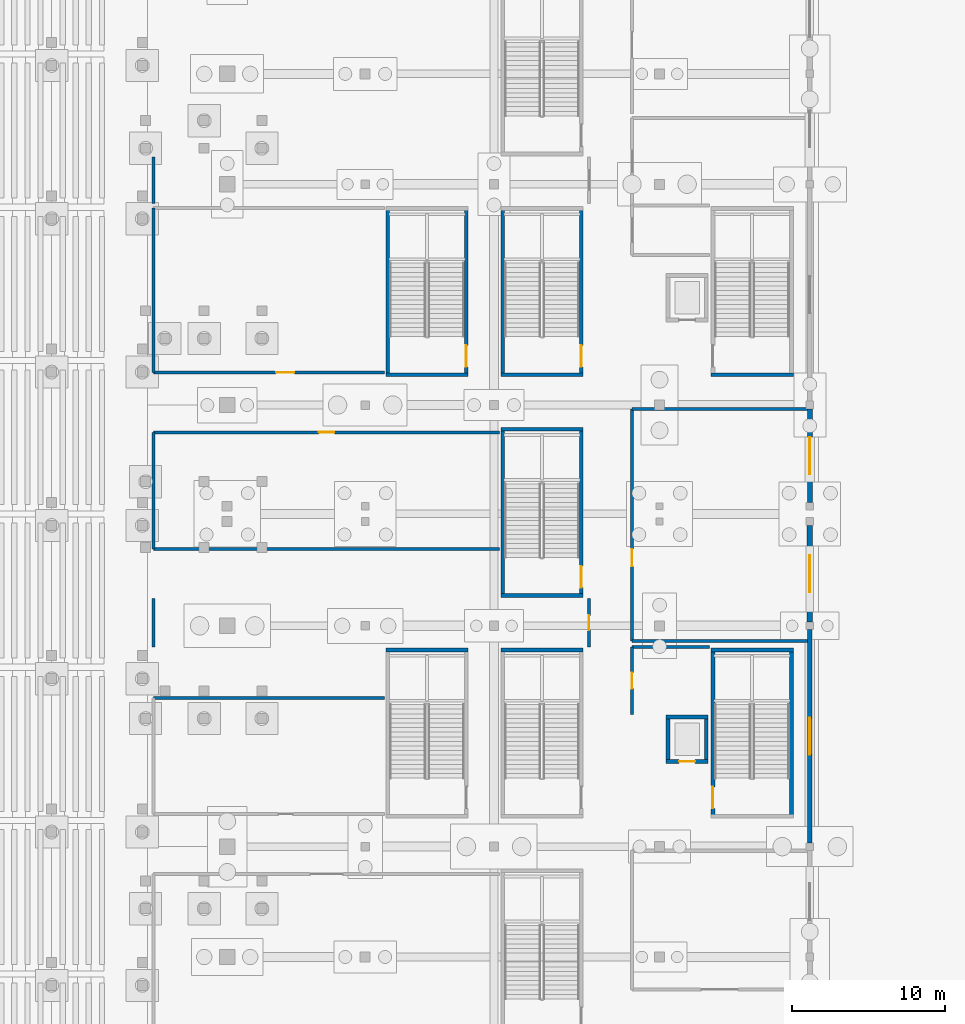
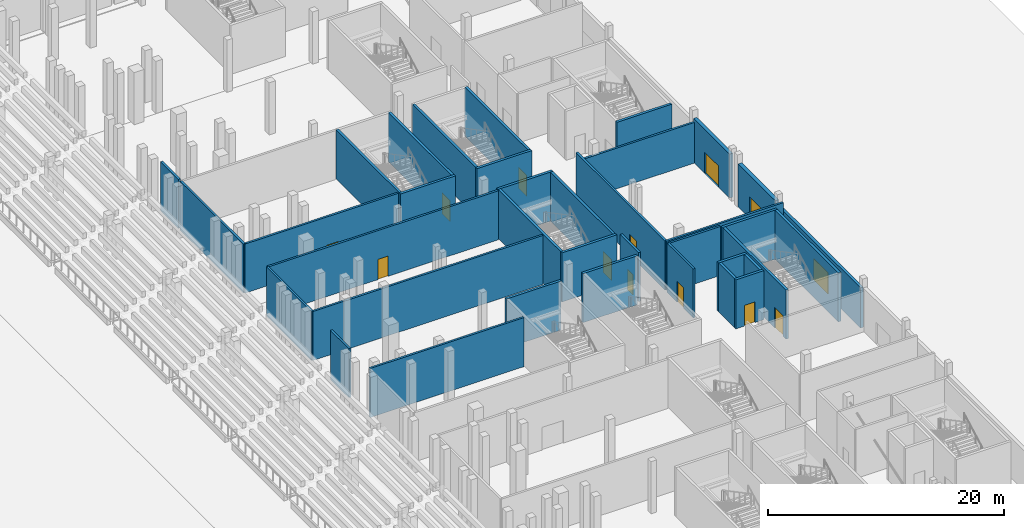
# One storey, part 43 of 89: 37 walls, 13 doors, 13 openings.
"""IFC4 building model written with IfcOpenShell, lengths in metres."""

import ifcopenshell
import ifcopenshell.guid

model = None  # the IFC model being written
_history = None  # IfcOwnerHistory: only IFC2X3 demands one
_inside = {}  # id of a spatial element -> (the spatial element, [elements in it])
_under = {}  # id of a project, library or spatial element -> (it, [spatial elements below it])
_declared = {}  # id of a project -> (the project, [libraries it declares])
_typed = {}  # id of a type object -> (the type object, [elements of that type])
_made_of = {}  # id of a material, layer set ... -> (it, [elements and type objects made of it])


def new_model(schema):
    """Start an empty IFC model of exactly this schema.

    Asked for "IFC4X3", IfcOpenShell would pick the latest addendum, in which some entities
    have other attributes; the version numbers below select the first issue.
    IFC2X3 requires an IfcOwnerHistory on every rooted entity: one is made here for all.
    """
    global model, _history
    if schema == "IFC4X3":
        model = ifcopenshell.file(schema_version=(4, 3, 0, 0))
    else:
        model = ifcopenshell.file(schema=schema)
    _inside.clear()
    _under.clear()
    _declared.clear()
    _typed.clear()
    _made_of.clear()
    _history = None
    if model.schema == "IFC2X3":
        org = make("IfcOrganization", Name="unknown")
        user = make(
            "IfcPersonAndOrganization",
            ThePerson=make("IfcPerson", FamilyName="unknown"),
            TheOrganization=org,
        )
        app = make(
            "IfcApplication",
            ApplicationDeveloper=org,
            Version="unknown",
            ApplicationFullName="unknown",
            ApplicationIdentifier="unknown",
        )
        _history = make(
            "IfcOwnerHistory",
            OwningUser=user,
            OwningApplication=app,
            ChangeAction="ADDED",
            CreationDate=0,
        )
    return model


def make(cls, **values):
    """One entity of the class cls with the attributes given. An attribute that is None is left unset."""
    return model.create_entity(
        cls, **{name: value for name, value in values.items() if value is not None}
    )


def rooted(cls, **values):
    """An entity with a GlobalId (a new one), such as an element, a storey or a relation."""
    return make(cls, GlobalId=ifcopenshell.guid.new(), OwnerHistory=_history, **values)


def si_unit(unit_type, name, prefix=None):
    """IfcSIUnit, for example si_unit("LENGTHUNIT", "METRE", prefix="MILLI")."""
    return make("IfcSIUnit", UnitType=unit_type, Prefix=prefix, Name=name)


def assignment(units):
    """IfcUnitAssignment: the units of a project."""
    return None if units is None else make("IfcUnitAssignment", Units=units)


def point(xyz):
    """IfcCartesianPoint."""
    return None if xyz is None else make("IfcCartesianPoint", Coordinates=xyz)


def direction(xyz):
    """IfcDirection."""
    return None if xyz is None else make("IfcDirection", DirectionRatios=xyz)


def frame(location, z_axis=None, x_axis=None):
    """IfcAxis2Placement3D, a coordinate frame: its origin and axes. An axis left out is left unset."""
    return make(
        "IfcAxis2Placement3D",
        Location=point(location),
        Axis=direction(z_axis),
        RefDirection=direction(x_axis),
    )


def frame_2d(location, x_axis=None):
    """IfcAxis2Placement2D, a coordinate frame in the plane: its origin and x axis."""
    return make(
        "IfcAxis2Placement2D", Location=point(location), RefDirection=direction(x_axis)
    )


def origin():
    """The frame at (0, 0, 0) with its axes left unset."""
    return frame((0.0, 0.0, 0.0))


def place(relative_to, where):
    """IfcLocalPlacement: puts the frame where relative to a parent placement (None: the world)."""
    return make(
        "IfcLocalPlacement", PlacementRelTo=relative_to, RelativePlacement=where
    )


def context(
    kind, dimensions, precision=None, world=None, true_north=None, identifier=None
):
    """IfcGeometricRepresentationContext, for example the 3D "Model" context."""
    return make(
        "IfcGeometricRepresentationContext",
        ContextIdentifier=identifier,
        ContextType=kind,
        CoordinateSpaceDimension=dimensions,
        Precision=precision,
        WorldCoordinateSystem=world,
        TrueNorth=true_north,
    )


def subcontext(parent, identifier, kind, view, scale=None):
    """IfcGeometricRepresentationSubContext, for example "Body" below "Model"."""
    return make(
        "IfcGeometricRepresentationSubContext",
        ContextIdentifier=identifier,
        ContextType=kind,
        ParentContext=parent,
        TargetScale=scale,
        TargetView=view,
    )


def project(units=None, contexts=None):
    """IfcProject with its units and contexts."""
    return rooted(
        "IfcProject",
        Name="project",
        RepresentationContexts=contexts,
        UnitsInContext=assignment(units),
    )


def spatial(cls, under=None, at=None, **own):
    """A site, building, storey or space (cls), placed at a placement, below another one or the project."""
    s = rooted(cls, ObjectPlacement=at, **own)
    if under is not None:
        _under.setdefault(under.id(), (under, []))[1].append(s)
    return s


def profile(cls, at=None, kind="AREA", **sizes):
    """A parametric profile (cls). Its sizes go by their IFC names, for example OverallWidth=200.0."""
    return make(cls, ProfileType=kind, Position=at, **sizes)


def rectangle(**sizes):
    """IfcRectangleProfileDef."""
    return profile("IfcRectangleProfileDef", **sizes)


def extrude(swept, where, along, depth):
    """IfcExtrudedAreaSolid: the profile swept, set in the frame where, extruded along a direction by depth."""
    return make(
        "IfcExtrudedAreaSolid",
        SweptArea=swept,
        Position=where,
        ExtrudedDirection=direction(along),
        Depth=depth,
    )


def shape(context_of_items, identifier, shape_type, items):
    """IfcShapeRepresentation: the items that make up one representation, for example the "Body"."""
    return make(
        "IfcShapeRepresentation",
        ContextOfItems=context_of_items,
        RepresentationIdentifier=identifier,
        RepresentationType=shape_type,
        Items=items,
    )


def material(Name=None, Category=None):
    """IfcMaterial."""
    return make("IfcMaterial", Name=Name, Category=Category)


def layer(
    of_material, thickness, ventilated=None, Name=None, Category=None, Priority=None
):
    """IfcMaterialLayer: one layer of a wall or slab, of a material (None: an air gap)."""
    return make(
        "IfcMaterialLayer",
        Material=of_material,
        LayerThickness=thickness,
        IsVentilated=ventilated,
        Name=Name,
        Category=Category,
        Priority=Priority,
    )


def layer_set(layers, Name=None):
    """IfcMaterialLayerSet."""
    return make("IfcMaterialLayerSet", MaterialLayers=layers, LayerSetName=Name)


def made_of(thing, what):
    """Note that an element or type object is made of a material, layer set ...; save() writes the relation."""
    if what is not None:
        _made_of.setdefault(what.id(), (what, []))[1].append(thing)
    return thing


def type_object(cls, material=None, **own):
    """A type object (cls), such as IfcWallType, which elements share."""
    return made_of(rooted(cls, **own), material)


def element(
    cls,
    number,
    at=None,
    inside=None,
    cuts=None,
    type_object=None,
    material=None,
    context=None,
    identifier="Body",
    shape_type=None,
    held_by="IfcProductDefinitionShape",
    body=None,
    shapes=None,
    **own,
):
    """One element of the class cls, such as IfcWall. Its Tag is "e" and its number.

    at: its placement. inside: the storey or other place that contains it. cuts: it is an
    opening in that element (IfcRelVoidsElement). A single representation is given by context,
    identifier, shape_type and body (its items); several are given by shapes. held_by: the class
    of the entity that holds the representations. save() writes the other relations.
    """
    e = rooted(cls, Tag="e%d" % number, ObjectPlacement=at, **own)
    if body is not None:
        shapes = [shape(context, identifier, shape_type, body)]
    if shapes is not None:
        e.Representation = make(held_by, Representations=shapes)
    if inside is not None:
        _inside.setdefault(inside.id(), (inside, []))[1].append(e)
    if cuts is not None:
        rooted(
            "IfcRelVoidsElement", RelatingBuildingElement=cuts, RelatedOpeningElement=e
        )
    if type_object is not None:
        _typed.setdefault(type_object.id(), (type_object, []))[1].append(e)
    return made_of(e, material)


def fill(opening, filler):
    """IfcRelFillsElement: the door or window that sits in an opening."""
    return rooted(
        "IfcRelFillsElement",
        RelatingOpeningElement=opening,
        RelatedBuildingElement=filler,
    )


def aggregate(whole, parts):
    """IfcRelAggregates: a whole, such as a stair, and the parts it consists of."""
    return rooted("IfcRelAggregates", RelatingObject=whole, RelatedObjects=parts)


def save(model, path):
    """Write the relations noted so far, then the file.

    IfcRelAggregates (storeys below a building ...), IfcRelContainedInSpatialStructure (elements
    in a storey), IfcRelDefinesByType, IfcRelAssociatesMaterial and IfcRelDeclares: one each for
    every whole, place, type object, material and project.
    """
    for whole, parts in _under.values():
        aggregate(whole, parts)
    for where, things in _inside.values():
        rooted(
            "IfcRelContainedInSpatialStructure",
            RelatedElements=things,
            RelatingStructure=where,
        )
    for kind, things in _typed.values():
        rooted("IfcRelDefinesByType", RelatedObjects=things, RelatingType=kind)
    for what, things in _made_of.values():
        rooted("IfcRelAssociatesMaterial", RelatedObjects=things, RelatingMaterial=what)
    for by, libraries in _declared.values():
        rooted("IfcRelDeclares", RelatingContext=by, RelatedDefinitions=libraries)
    model.write(path)


model = new_model("IFC4")

# Units and contexts
model_context = context("Model", 3, precision=1e-05, world=origin(), true_north=direction((0.0, 1.0)))
body_context = subcontext(model_context, "Body", "Model", "MODEL_VIEW")
ifc_project = project(units=[si_unit("LENGTHUNIT", "METRE"), si_unit("AREAUNIT", "SQUARE_METRE"), si_unit("VOLUMEUNIT", "CUBIC_METRE"), si_unit("PLANEANGLEUNIT", "RADIAN"), si_unit("MASSUNIT", "GRAM", prefix="KILO")], contexts=[model_context])

# Site, building, storey
site_placement = place(None, origin())
site = spatial("IfcSite", under=ifc_project, at=site_placement, CompositionType="ELEMENT")
building_placement = place(site_placement, origin())
building = spatial("IfcBuilding", under=site, at=building_placement, Name="Koshinbarg Plaza Stadium", CompositionType="ELEMENT")
storey_placement = place(building_placement, origin())
storey = spatial("IfcBuildingStorey", under=building, at=storey_placement, Name="L00", CompositionType="ELEMENT", Elevation=0.0)

# Wall
ifc_material_1 = material(Name="Concrete C40/50", Category="concrete")
ifc_layer_1 = layer(ifc_material_1, 0.25)
ifc_layer_set_1 = layer_set([ifc_layer_1], Name="Concrete C40/50")
wall_type_1 = type_object("IfcWallType", Name="WL-CORE-250", PredefinedType="SHEAR", material=ifc_layer_set_1)
wall_1_placement = place(storey_placement, frame((217.320068359375, 67.125, 0.0), z_axis=(0.0, 0.0, 1.0), x_axis=(-1.0, 0.0, 0.0)))
element("IfcWall", 1, at=wall_1_placement, inside=storey, type_object=wall_type_1, Name="L00 core stair shear wall C08-far IWL-L00-0187", PredefinedType="SHEAR", context=body_context, shape_type="SweptSolid", body=[
    extrude(rectangle(XDim=5.3701171875, YDim=0.25, at=frame_2d((2.68505859375, 0.0))), origin(), (0.0, 0.0, 1.0), 5.080078125),
])

# Wall, opening, door
wall_2_placement = place(storey_placement, frame((212.074951171875, 56.27490234375, 0.0), z_axis=(0.0, 0.0, 1.0), x_axis=(0.0, 1.0, 0.0)))
wall_2 = element("IfcWall", 2, at=wall_2_placement, inside=storey, type_object=wall_type_1, Name="L00 core stair shear wall C08-left IWL-L00-0188", PredefinedType="SHEAR", context=body_context, shape_type="SweptSolid", body=[
    extrude(rectangle(XDim=10.85009765625, YDim=0.25, at=frame_2d((5.425048828125, 0.0))), origin(), (0.0, 0.0, 1.0), 5.080078125),
])
opening_1_placement = place(wall_2_placement, frame((0.52001953125, 0.0, 0.0)))
opening_1 = element("IfcOpeningElement", 3, at=opening_1_placement, cuts=wall_2, Name="Opening D-0109", PredefinedType="OPENING", context=body_context, shape_type="SweptSolid", body=[
    extrude(rectangle(XDim=1.39990234375, YDim=2.14990234375, at=frame_2d((0.699951171875, 1.074951171875))), frame((0.0, 0.135009765625, 0.0), z_axis=(0.0, -1.0, 0.0), x_axis=(1.0, 0.0, 0.0)), (0.0, 0.0, 1.0), 0.27001953125),
])
ifc_material_2 = material(Name="Painted galvanized steel fire door", Category="steel")
door_type_1 = type_object("IfcDoorType", Name="DR-STAIR-1400", OperationType="NOTDEFINED", PredefinedType="DOOR", material=ifc_material_2)
door_1_placement = place(opening_1_placement, origin())
door_1 = element("IfcDoor", 4, at=door_1_placement, inside=storey, type_object=door_type_1, Name="L00 exit stair door C08", OperationType="SINGLE_SWING_LEFT", OverallHeight=2.14990234375, OverallWidth=1.39990234375, PredefinedType="DOOR", context=body_context, shape_type="SweptSolid", body=[
    extrude(rectangle(XDim=1.39990234375, YDim=2.14990234375, at=frame_2d((0.699951171875, 1.074951171875))), frame((0.0, 0.02490234375, 0.0), z_axis=(0.0, -1.0, 0.0), x_axis=(1.0, 0.0, 0.0)), (0.0, 0.0, 1.0), 0.050048828125),
])
fill(opening_1, door_1)

# Walls
wall_3_placement = place(storey_placement, frame((217.195068359375, 56.27490234375, 0.0), z_axis=(0.0, 0.0, 1.0), x_axis=(0.0, 1.0, 0.0)))
element("IfcWall", 5, at=wall_3_placement, inside=storey, type_object=wall_type_1, Name="L00 core stair shear wall C08-right IWL-L00-0189", PredefinedType="SHEAR", context=body_context, shape_type="SweptSolid", body=[
    extrude(rectangle(XDim=10.85009765625, YDim=0.25, at=frame_2d((5.425048828125, 0.0))), origin(), (0.0, 0.0, 1.0), 5.080078125),
])
for number, where, z_axis, x_axis, name in (
    (6, (211.949951171875, 85.074951171875, 0.0), (0.0, 0.0, 1.0), (1.0, 0.0, 0.0), "L00 core stair shear wall C09-near IWL-L00-0210"),
    (7, (203.6201171875, 67.125, 0.0), (0.0, 0.0, 1.0), (-1.0, 0.0, 0.0), "L00 vomitory stair shear wall VX09-far IWL-L00-0483"),
    (8, (198.25, 70.675048828125, 0.0), (0.0, 0.0, 1.0), (1.0, 0.0, 0.0), "L00 vomitory stair shear wall VX10-near IWL-L00-0498"),
    (9, (203.6201171875, 81.52490234375, 0.0), (0.0, 0.0, 1.0), (-1.0, 0.0, 0.0), "L00 vomitory stair shear wall VX10-far IWL-L00-0499"),
):
    element("IfcWall", number, at=place(storey_placement, frame(where, z_axis=z_axis, x_axis=x_axis)), inside=storey, type_object=wall_type_1, Name=name, PredefinedType="SHEAR", context=body_context, shape_type="SweptSolid", body=[
        extrude(rectangle(XDim=5.3701171875, YDim=0.25, at=frame_2d((2.68505859375, 0.0))), origin(), (0.0, 0.0, 1.0), 5.080078125),
    ])
wall_4_placement = place(storey_placement, frame((198.375, 70.675048828125, 0.0), z_axis=(0.0, 0.0, 1.0), x_axis=(0.0, 1.0, 0.0)))
element("IfcWall", 10, at=wall_4_placement, inside=storey, type_object=wall_type_1, Name="L00 vomitory stair shear wall VX10-left IWL-L00-0500", PredefinedType="SHEAR", context=body_context, shape_type="SweptSolid", body=[
    extrude(rectangle(XDim=10.849853515625, YDim=0.25, at=frame_2d((5.4248046875, 0.0))), origin(), (0.0, 0.0, 1.0), 5.080078125),
])

# Wall, opening, door
wall_5_placement = place(storey_placement, frame((203.4951171875, 70.675048828125, 0.0), z_axis=(0.0, 0.0, 1.0), x_axis=(0.0, 1.0, 0.0)))
wall_5 = element("IfcWall", 11, at=wall_5_placement, inside=storey, type_object=wall_type_1, Name="L00 vomitory stair shear wall VX10-right IWL-L00-0501", PredefinedType="SHEAR", context=body_context, shape_type="SweptSolid", body=[
    extrude(rectangle(XDim=10.849853515625, YDim=0.25, at=frame_2d((5.4248046875, 0.0))), origin(), (0.0, 0.0, 1.0), 5.080078125),
])
opening_2_placement = place(wall_5_placement, frame((0.52001953125, 0.0, 0.0)))
opening_2 = element("IfcOpeningElement", 12, at=opening_2_placement, cuts=wall_5, Name="Opening D-0187", PredefinedType="OPENING", context=body_context, shape_type="SweptSolid", body=[
    extrude(rectangle(XDim=1.39990234375, YDim=2.14990234375, at=frame_2d((0.699951171875, 1.074951171875))), frame((0.0, 0.135009765625, 0.0), z_axis=(0.0, -1.0, 0.0), x_axis=(1.0, 0.0, 0.0)), (0.0, 0.0, 1.0), 0.27001953125),
])
door_2_placement = place(opening_2_placement, frame((1.39990234375, 0.0, 0.0), z_axis=(0.0, 0.0, 1.0), x_axis=(-1.0, 0.0, 0.0)))
door_2 = element("IfcDoor", 13, at=door_2_placement, inside=storey, type_object=door_type_1, Name="L00 vomitory exit stair door VX10", OperationType="SINGLE_SWING_LEFT", OverallHeight=2.14990234375, OverallWidth=1.39990234375, PredefinedType="DOOR", context=body_context, shape_type="SweptSolid", body=[
    extrude(rectangle(XDim=1.39990234375, YDim=2.14990234375, at=frame_2d((0.699951171875, 1.074951171875))), frame((0.0, 0.02490234375, 0.0), z_axis=(0.0, -1.0, 0.0), x_axis=(1.0, 0.0, 0.0)), (0.0, 0.0, 1.0), 0.050048828125),
])
fill(opening_2, door_2)

# Walls
wall_6_placement = place(storey_placement, frame((198.25, 85.074951171875, 0.0), z_axis=(0.0, 0.0, 1.0), x_axis=(1.0, 0.0, 0.0)))
element("IfcWall", 14, at=wall_6_placement, inside=storey, type_object=wall_type_1, Name="L00 vomitory stair shear wall VX11-near IWL-L00-0514", PredefinedType="SHEAR", context=body_context, shape_type="SweptSolid", body=[
    extrude(rectangle(XDim=5.3701171875, YDim=0.25, at=frame_2d((2.68505859375, 0.0))), origin(), (0.0, 0.0, 1.0), 5.080078125),
])
wall_7_placement = place(storey_placement, frame((198.375, 85.074951171875, 0.0), z_axis=(0.0, 0.0, 1.0), x_axis=(0.0, 1.0, 0.0)))
element("IfcWall", 15, at=wall_7_placement, inside=storey, type_object=wall_type_1, Name="L00 vomitory stair shear wall VX11-left IWL-L00-0516", PredefinedType="SHEAR", context=body_context, shape_type="SweptSolid", body=[
    extrude(rectangle(XDim=10.85009765625, YDim=0.25, at=frame_2d((5.425048828125, 0.0))), origin(), (0.0, 0.0, 1.0), 5.080078125),
])

# Wall, opening, door
wall_8_placement = place(storey_placement, frame((203.4951171875, 85.074951171875, 0.0), z_axis=(0.0, 0.0, 1.0), x_axis=(0.0, 1.0, 0.0)))
wall_8 = element("IfcWall", 16, at=wall_8_placement, inside=storey, type_object=wall_type_1, Name="L00 vomitory stair shear wall VX11-right IWL-L00-0517", PredefinedType="SHEAR", context=body_context, shape_type="SweptSolid", body=[
    extrude(rectangle(XDim=10.85009765625, YDim=0.25, at=frame_2d((5.425048828125, 0.0))), origin(), (0.0, 0.0, 1.0), 5.080078125),
])
opening_3_placement = place(wall_8_placement, frame((0.52001953125, 0.0, 0.0)))
opening_3 = element("IfcOpeningElement", 17, at=opening_3_placement, cuts=wall_8, Name="Opening D-0191", PredefinedType="OPENING", context=body_context, shape_type="SweptSolid", body=[
    extrude(rectangle(XDim=1.39990234375, YDim=2.14990234375, at=frame_2d((0.699951171875, 1.074951171875))), frame((0.0, 0.135009765625, 0.0), z_axis=(0.0, -1.0, 0.0), x_axis=(1.0, 0.0, 0.0)), (0.0, 0.0, 1.0), 0.27001953125),
])
door_3_placement = place(opening_3_placement, frame((1.39990234375, 0.0, 0.0), z_axis=(0.0, 0.0, 1.0), x_axis=(-1.0, 0.0, 0.0)))
door_3 = element("IfcDoor", 18, at=door_3_placement, inside=storey, type_object=door_type_1, Name="L00 vomitory exit stair door VX11", OperationType="SINGLE_SWING_RIGHT", OverallHeight=2.14990234375, OverallWidth=1.39990234375, PredefinedType="DOOR", context=body_context, shape_type="SweptSolid", body=[
    extrude(rectangle(XDim=1.39990234375, YDim=2.14990234375, at=frame_2d((0.699951171875, 1.074951171875))), frame((0.0, 0.02490234375, 0.0), z_axis=(0.0, -1.0, 0.0), x_axis=(1.0, 0.0, 0.0)), (0.0, 0.0, 1.0), 0.050048828125),
])
fill(opening_3, door_3)

# Walls
for number, where, z_axis, x_axis, name in (
    (19, (196.1201171875, 67.125, 0.0), (0.0, 0.0, 1.0), (-1.0, 0.0, 0.0), "L00 vomitory stair shear wall VL06-far IWL-L00-0587"),
    (20, (190.75, 85.074951171875, 0.0), (0.0, 0.0, 1.0), (1.0, 0.0, 0.0), "L00 vomitory stair shear wall VL07-near IWL-L00-0594"),
):
    element("IfcWall", number, at=place(storey_placement, frame(where, z_axis=z_axis, x_axis=x_axis)), inside=storey, type_object=wall_type_1, Name=name, PredefinedType="SHEAR", context=body_context, shape_type="SweptSolid", body=[
        extrude(rectangle(XDim=5.3701171875, YDim=0.25, at=frame_2d((2.68505859375, 0.0))), origin(), (0.0, 0.0, 1.0), 5.080078125),
    ])
wall_9_placement = place(storey_placement, frame((190.875, 85.074951171875, 0.0), z_axis=(0.0, 0.0, 1.0), x_axis=(0.0, 1.0, 0.0)))
element("IfcWall", 21, at=wall_9_placement, inside=storey, type_object=wall_type_1, Name="L00 vomitory stair shear wall VL07-left IWL-L00-0596", PredefinedType="SHEAR", context=body_context, shape_type="SweptSolid", body=[
    extrude(rectangle(XDim=10.85009765625, YDim=0.25, at=frame_2d((5.425048828125, 0.0))), origin(), (0.0, 0.0, 1.0), 5.080078125),
])

# Wall, opening, door
wall_10_placement = place(storey_placement, frame((195.9951171875, 85.074951171875, 0.0), z_axis=(0.0, 0.0, 1.0), x_axis=(0.0, 1.0, 0.0)))
wall_10 = element("IfcWall", 22, at=wall_10_placement, inside=storey, type_object=wall_type_1, Name="L00 vomitory stair shear wall VL07-right IWL-L00-0597", PredefinedType="SHEAR", context=body_context, shape_type="SweptSolid", body=[
    extrude(rectangle(XDim=10.85009765625, YDim=0.25, at=frame_2d((5.425048828125, 0.0))), origin(), (0.0, 0.0, 1.0), 5.080078125),
])
opening_4_placement = place(wall_10_placement, frame((0.52001953125, 0.0, 0.0)))
opening_4 = element("IfcOpeningElement", 23, at=opening_4_placement, cuts=wall_10, Name="Opening D-0211", PredefinedType="OPENING", context=body_context, shape_type="SweptSolid", body=[
    extrude(rectangle(XDim=1.39990234375, YDim=2.14990234375, at=frame_2d((0.699951171875, 1.074951171875))), frame((0.0, 0.135009765625, 0.0), z_axis=(0.0, -1.0, 0.0), x_axis=(1.0, 0.0, 0.0)), (0.0, 0.0, 1.0), 0.27001953125),
])
door_4_placement = place(opening_4_placement, frame((1.39990234375, 0.0, 0.0), z_axis=(0.0, 0.0, 1.0), x_axis=(-1.0, 0.0, 0.0)))
door_4 = element("IfcDoor", 24, at=door_4_placement, inside=storey, type_object=door_type_1, Name="L00 vomitory exit stair door VL07", OperationType="SINGLE_SWING_RIGHT", OverallHeight=2.14990234375, OverallWidth=1.39990234375, PredefinedType="DOOR", context=body_context, shape_type="SweptSolid", body=[
    extrude(rectangle(XDim=1.39990234375, YDim=2.14990234375, at=frame_2d((0.699951171875, 1.074951171875))), frame((0.0, 0.02490234375, 0.0), z_axis=(0.0, -1.0, 0.0), x_axis=(1.0, 0.0, 0.0)), (0.0, 0.0, 1.0), 0.050048828125),
])
fill(opening_4, door_4)

wall_11_placement = place(storey_placement, frame((209.02490234375, 59.85009765625, 0.0), z_axis=(0.0, 0.0, 1.0), x_axis=(1.0, 0.0, 0.0)))
wall_11 = element("IfcWall", 25, at=wall_11_placement, inside=storey, type_object=wall_type_1, Name="L00 lift shaft shear wall LP04-S IWL-L00-0886", PredefinedType="SHEAR", context=body_context, shape_type="SweptSolid", body=[
    extrude(rectangle(XDim=2.75, YDim=0.25, at=frame_2d((1.375, 0.0))), origin(), (0.0, 0.0, 1.0), 5.080078125),
])
opening_5_placement = place(wall_11_placement, frame((0.85009765625, 0.0, 0.0)))
opening_5 = element("IfcOpeningElement", 26, at=opening_5_placement, cuts=wall_11, Name="Opening D-0291", PredefinedType="OPENING", context=body_context, shape_type="SweptSolid", body=[
    extrude(rectangle(XDim=1.050048828125, YDim=2.14990234375, at=frame_2d((0.52490234375, 1.074951171875))), frame((0.0, 0.135009765625, 0.0), z_axis=(0.0, -1.0, 0.0), x_axis=(1.0, 0.0, 0.0)), (0.0, 0.0, 1.0), 0.27001953125),
])
ifc_material_3 = material(Name="Brushed stainless steel sliding lift landing door", Category="steel")
door_type_2 = type_object("IfcDoorType", Name="DR-LIFT-1050", OperationType="NOTDEFINED", PredefinedType="DOOR", material=ifc_material_3)
door_5_placement = place(opening_5_placement, origin())
door_5 = element("IfcDoor", 27, at=door_5_placement, inside=storey, type_object=door_type_2, Name="L00 lift landing door LP04", OperationType="SLIDING_TO_LEFT", OverallHeight=2.14990234375, OverallWidth=1.050048828125, PredefinedType="DOOR", context=body_context, shape_type="SweptSolid", body=[
    extrude(rectangle(XDim=1.050048828125, YDim=2.14990234375, at=frame_2d((0.52490234375, 1.074951171875))), frame((0.0, 0.02490234375, 0.0), z_axis=(0.0, -1.0, 0.0), x_axis=(1.0, 0.0, 0.0)), (0.0, 0.0, 1.0), 0.050048828125),
])
fill(opening_5, door_5)

# Walls
wall_12_placement = place(storey_placement, frame((211.77490234375, 62.75, 0.0), z_axis=(0.0, 0.0, 1.0), x_axis=(-1.0, 0.0, 0.0)))
element("IfcWall", 28, at=wall_12_placement, inside=storey, type_object=wall_type_1, Name="L00 lift shaft shear wall LP04-N IWL-L00-0887", PredefinedType="SHEAR", context=body_context, shape_type="SweptSolid", body=[
    extrude(rectangle(XDim=2.75, YDim=0.25, at=frame_2d((1.375, 0.0))), origin(), (0.0, 0.0, 1.0), 5.080078125),
])
for number, where, z_axis, x_axis, name in (
    (29, (209.14990234375, 62.75, 0.0), (0.0, 0.0, 1.0), (0.0, -1.0, 0.0), "L00 lift shaft shear wall LP04-W IWL-L00-0888"),
    (30, (211.64990234375, 59.85009765625, 0.0), (0.0, 0.0, 1.0), (0.0, 1.0, 0.0), "L00 lift shaft shear wall LP04-E IWL-L00-0889"),
):
    element("IfcWall", number, at=place(storey_placement, frame(where, z_axis=z_axis, x_axis=x_axis)), inside=storey, type_object=wall_type_1, Name=name, PredefinedType="SHEAR", context=body_context, shape_type="SweptSolid", body=[
        extrude(rectangle(XDim=2.89990234375, YDim=0.25, at=frame_2d((1.449951171875, 0.0))), origin(), (0.0, 0.0, 1.0), 5.080078125),
    ])

# Wall, opening, door
ifc_material_4 = material(Name="Terracotta-ochre mineral plaster insulated wall", Category="masonry")
ifc_layer_2 = layer(ifc_material_4, 0.280029296875)
ifc_layer_set_2 = layer_set([ifc_layer_2], Name="Terracotta-ochre mineral plaster insulated wall")
wall_type_2 = type_object("IfcWallType", Name="WL-EXT-280", PredefinedType="SOLIDWALL", material=ifc_layer_set_2)
wall_13_placement = place(storey_placement, frame((218.39990234375, 68.455078125, 0.0), z_axis=(0.0, 0.0, 1.0), x_axis=(0.0, -1.0, 0.0)))
wall_13 = element("IfcWall", 31, at=wall_13_placement, inside=storey, type_object=wall_type_2, Name="L00 exterior envelope wall EWL-L00-0044", PredefinedType="SOLIDWALL", context=body_context, shape_type="SweptSolid", body=[
    extrude(rectangle(XDim=13.91015625, YDim=0.280029296875, at=frame_2d((6.955078125, 0.0))), origin(), (0.0, 0.0, 1.0), 4.159912109375),
])
opening_6_placement = place(wall_13_placement, frame((5.7548828125, 0.0, 0.0)))
opening_6 = element("IfcOpeningElement", 32, at=opening_6_placement, cuts=wall_13, Name="Opening D-0045", PredefinedType="OPENING", context=body_context, shape_type="SweptSolid", body=[
    extrude(rectangle(XDim=2.39990234375, YDim=2.199951171875, at=frame_2d((1.199951171875, 1.10009765625))), frame((0.0, 0.14990234375, 0.0), z_axis=(0.0, -1.0, 0.0), x_axis=(1.0, 0.0, 0.0)), (0.0, 0.0, 1.0), 0.300048828125),
])
ifc_material_5 = material(Name="Anodised aluminium thermally broken exit door", Category="aluminium")
door_type_3 = type_object("IfcDoorType", Name="DR-EXIT-2400", OperationType="NOTDEFINED", PredefinedType="DOOR", material=ifc_material_5)
door_6_placement = place(opening_6_placement, origin())
door_6 = element("IfcDoor", 33, at=door_6_placement, inside=storey, type_object=door_type_3, Name="Main exit E44", OperationType="DOUBLE_DOOR_SINGLE_SWING", OverallHeight=2.199951171875, OverallWidth=2.39990234375, PredefinedType="DOOR", context=body_context, shape_type="SweptSolid", body=[
    extrude(rectangle(XDim=2.39990234375, YDim=2.199951171875, at=frame_2d((1.199951171875, 1.10009765625))), frame((0.0, 0.02490234375, 0.0), z_axis=(0.0, -1.0, 0.0), x_axis=(1.0, 0.0, 0.0)), (0.0, 0.0, 1.0), 0.050048828125),
])
fill(opening_6, door_6)

ifc_material_6 = material(Name="Ultramarine-blue pigmented mineral plaster facade wall", Category="masonry")
ifc_layer_3 = layer(ifc_material_6, 0.320068359375)
ifc_layer_set_3 = layer_set([ifc_layer_3], Name="Ultramarine-blue pigmented mineral plaster facade wall")
wall_type_3 = type_object("IfcWallType", Name="WL-EXT-320", PredefinedType="SOLIDWALL", material=ifc_layer_set_3)
wall_14_placement = place(storey_placement, frame((218.39990234375, 82.85498046875, 0.0), z_axis=(0.0, 0.0, 1.0), x_axis=(0.0, -1.0, 0.0)))
wall_14 = element("IfcWall", 34, at=wall_14_placement, inside=storey, type_object=wall_type_3, Name="L00 exterior envelope wall EWL-L00-0042", PredefinedType="SOLIDWALL", context=body_context, shape_type="SweptSolid", body=[
    extrude(rectangle(XDim=6.10986328125, YDim=0.320068359375, at=frame_2d((3.054931640625, 0.0))), origin(), (0.0, 0.0, 1.0), 4.56005859375),
])
opening_7_placement = place(wall_14_placement, frame((1.85498046875, 0.0, 0.0)))
opening_7 = element("IfcOpeningElement", 35, at=opening_7_placement, cuts=wall_14, Name="Opening D-0043", PredefinedType="OPENING", context=body_context, shape_type="SweptSolid", body=[
    extrude(rectangle(XDim=2.39990234375, YDim=2.199951171875, at=frame_2d((1.199951171875, 1.10009765625))), frame((0.0, 0.169921875, 0.0), z_axis=(0.0, -1.0, 0.0), x_axis=(1.0, 0.0, 0.0)), (0.0, 0.0, 1.0), 0.340087890625),
])
door_7_placement = place(opening_7_placement, origin())
door_7 = element("IfcDoor", 36, at=door_7_placement, inside=storey, type_object=door_type_3, Name="Main exit E42", OperationType="DOUBLE_DOOR_SINGLE_SWING", OverallHeight=2.199951171875, OverallWidth=2.39990234375, PredefinedType="DOOR", context=body_context, shape_type="SweptSolid", body=[
    extrude(rectangle(XDim=2.39990234375, YDim=2.199951171875, at=frame_2d((1.199951171875, 1.10009765625))), frame((0.0, 0.02490234375, 0.0), z_axis=(0.0, -1.0, 0.0), x_axis=(1.0, 0.0, 0.0)), (0.0, 0.0, 1.0), 0.050048828125),
])
fill(opening_7, door_7)

ifc_material_7 = material(Name="Acoustic insulated masonry stadium wall", Category="masonry")
ifc_layer_4 = layer(ifc_material_7, 0.35009765625)
ifc_layer_set_4 = layer_set([ifc_layer_4], Name="Acoustic insulated masonry stadium wall")
wall_type_4 = type_object("IfcWallType", Name="WL-EXT-350", PredefinedType="SOLIDWALL", material=ifc_layer_set_4)
wall_15_placement = place(storey_placement, frame((218.39990234375, 75.2548828125, 0.0), z_axis=(0.0, 0.0, 1.0), x_axis=(0.0, -1.0, 0.0)))
wall_15 = element("IfcWall", 37, at=wall_15_placement, inside=storey, type_object=wall_type_4, Name="L00 exterior envelope wall EWL-L00-0043", PredefinedType="SOLIDWALL", context=body_context, shape_type="SweptSolid", body=[
    extrude(rectangle(XDim=6.309814453125, YDim=0.35009765625, at=frame_2d((3.15478515625, 0.0))), origin(), (0.0, 0.0, 1.0), 4.4599609375),
])
opening_8_placement = place(wall_15_placement, frame((1.955078125, 0.0, 0.0)))
opening_8 = element("IfcOpeningElement", 38, at=opening_8_placement, cuts=wall_15, Name="Opening D-0044", PredefinedType="OPENING", context=body_context, shape_type="SweptSolid", body=[
    extrude(rectangle(XDim=2.39990234375, YDim=2.199951171875, at=frame_2d((1.199951171875, 1.10009765625))), frame((0.0, 0.18505859375, 0.0), z_axis=(0.0, -1.0, 0.0), x_axis=(1.0, 0.0, 0.0)), (0.0, 0.0, 1.0), 0.3701171875),
])
door_8_placement = place(opening_8_placement, origin())
door_8 = element("IfcDoor", 39, at=door_8_placement, inside=storey, type_object=door_type_3, Name="Main exit E43", OperationType="DOUBLE_DOOR_SINGLE_SWING", OverallHeight=2.199951171875, OverallWidth=2.39990234375, PredefinedType="DOOR", context=body_context, shape_type="SweptSolid", body=[
    extrude(rectangle(XDim=2.39990234375, YDim=2.199951171875, at=frame_2d((1.199951171875, 1.10009765625))), frame((0.0, 0.02490234375, 0.0), z_axis=(0.0, -1.0, 0.0), x_axis=(1.0, 0.0, 0.0)), (0.0, 0.0, 1.0), 0.050048828125),
])
fill(opening_8, door_8)

# Wall
ifc_material_8 = material(Name="Autoclaved aerated blockwork fire partition", Category="masonry")
ifc_layer_5 = layer(ifc_material_8, 0.199951171875)
ifc_layer_set_5 = layer_set([ifc_layer_5], Name="Autoclaved aerated blockwork fire partition")
wall_type_5 = type_object("IfcWallType", Name="WL-PART-200", PredefinedType="PARTITIONING", material=ifc_layer_set_5)
wall_16_placement = place(storey_placement, frame((190.669921875, 63.98046875, 0.0), z_axis=(0.0, 0.0, 1.0), x_axis=(-1.0, 0.0, 0.0)))
element("IfcWall", 40, at=wall_16_placement, inside=storey, type_object=wall_type_5, Name="L00 interior partition L00-99-north IWL-L00-1141", PredefinedType="PARTITIONING", context=body_context, shape_type="SweptSolid", body=[
    extrude(rectangle(XDim=15.06982421875, YDim=0.199951171875, at=frame_2d((7.534912109375, 0.0))), origin(), (0.0, 0.0, 1.0), 5.080078125),
])

# Wall, opening, door
wall_17_placement = place(storey_placement, frame((204.0, 67.330078125, 0.0), z_axis=(0.0, 0.0, 1.0), x_axis=(0.0, 1.0, 0.0)))
wall_17 = element("IfcWall", 41, at=wall_17_placement, inside=storey, type_object=wall_type_5, Name="L00 interior partition L00-100-east IWL-L00-1143", PredefinedType="PARTITIONING", context=body_context, shape_type="SweptSolid", body=[
    extrude(rectangle(XDim=3.139892578125, YDim=0.199951171875, at=frame_2d((1.56982421875, 0.0))), origin(), (0.0, 0.0, 1.0), 5.080078125),
])
opening_9_placement = place(wall_17_placement, frame((1.090087890625, 0.0, 0.0)))
opening_9 = element("IfcOpeningElement", 42, at=opening_9_placement, cuts=wall_17, Name="Opening D-0369", PredefinedType="OPENING", context=body_context, shape_type="SweptSolid", body=[
    extrude(rectangle(XDim=0.9599609375, YDim=2.10009765625, at=frame_2d((0.47998046875, 1.050048828125))), frame((0.0, 0.10986328125, 0.0), z_axis=(0.0, -1.0, 0.0), x_axis=(1.0, 0.0, 0.0)), (0.0, 0.0, 1.0), 0.219970703125),
])
ifc_material_9 = material(Name="Solid-core oak veneer acoustic door")
door_type_4 = type_object("IfcDoorType", Name="DR-INT-0960x2100", OperationType="NOTDEFINED", PredefinedType="DOOR", material=ifc_material_9)
door_9_placement = place(opening_9_placement, origin())
door_9 = element("IfcDoor", 43, at=door_9_placement, inside=storey, type_object=door_type_4, Name="L00 Community Sports Hall door D-0369", OperationType="SINGLE_SWING_LEFT", OverallHeight=2.10009765625, OverallWidth=0.9599609375, PredefinedType="DOOR", context=body_context, shape_type="SweptSolid", body=[
    extrude(rectangle(XDim=0.9599609375, YDim=2.10009765625, at=frame_2d((0.47998046875, 1.050048828125))), frame((0.0, 0.02490234375, 0.0), z_axis=(0.0, -1.0, 0.0), x_axis=(1.0, 0.0, 0.0)), (0.0, 0.0, 1.0), 0.050048828125),
])
fill(opening_9, door_9)

# Walls
wall_18_placement = place(storey_placement, frame((175.60009765625, 70.469970703125, 0.0), z_axis=(0.0, 0.0, 1.0), x_axis=(0.0, -1.0, 0.0)))
element("IfcWall", 44, at=wall_18_placement, inside=storey, type_object=wall_type_5, Name="L00 interior partition L00-100-west IWL-L00-1144", PredefinedType="PARTITIONING", context=body_context, shape_type="SweptSolid", body=[
    extrude(rectangle(XDim=3.139892578125, YDim=0.199951171875, at=frame_2d((1.56982421875, 0.0))), origin(), (0.0, 0.0, 1.0), 5.080078125),
])
wall_19_placement = place(storey_placement, frame((175.60009765625, 73.705078125, 0.0), z_axis=(0.0, 0.0, 1.0), x_axis=(1.0, 0.0, 0.0)))
element("IfcWall", 45, at=wall_19_placement, inside=storey, type_object=wall_type_5, Name="L00 interior partition L00-101-south IWL-L00-1145", PredefinedType="PARTITIONING", context=body_context, shape_type="SweptSolid", body=[
    extrude(rectangle(XDim=22.56982421875, YDim=0.199951171875, at=frame_2d((11.284912109375, 0.0))), origin(), (0.0, 0.0, 1.0), 5.080078125),
])

# Wall, opening, door
wall_20_placement = place(storey_placement, frame((198.169921875, 81.320068359375, 0.0), z_axis=(0.0, 0.0, 1.0), x_axis=(-1.0, 0.0, 0.0)))
wall_20 = element("IfcWall", 46, at=wall_20_placement, inside=storey, type_object=wall_type_5, Name="L00 interior partition L00-101-north IWL-L00-1146", PredefinedType="PARTITIONING", context=body_context, shape_type="SweptSolid", body=[
    extrude(rectangle(XDim=22.56982421875, YDim=0.199951171875, at=frame_2d((11.284912109375, 0.0))), origin(), (0.0, 0.0, 1.0), 5.080078125),
])
opening_10_placement = place(wall_20_placement, frame((10.784912109375, 0.0, 0.0)))
opening_10 = element("IfcOpeningElement", 47, at=opening_10_placement, cuts=wall_20, Name="Opening D-0370", PredefinedType="OPENING", context=body_context, shape_type="SweptSolid", body=[
    extrude(rectangle(XDim=1.0, YDim=2.10009765625, at=frame_2d((0.5, 1.050048828125))), frame((0.0, 0.10986328125, 0.0), z_axis=(0.0, -1.0, 0.0), x_axis=(1.0, 0.0, 0.0)), (0.0, 0.0, 1.0), 0.219970703125),
])
ifc_material_10 = material(Name="Solid-core laminate accessible WC door")
door_type_5 = type_object("IfcDoorType", Name="DR-INT-1000x2100", OperationType="NOTDEFINED", PredefinedType="DOOR", material=ifc_material_10)
door_10_placement = place(opening_10_placement, origin())
door_10 = element("IfcDoor", 48, at=door_10_placement, inside=storey, type_object=door_type_5, Name="L00 Supporters' Merchandise Shop door D-0370", OperationType="SINGLE_SWING_RIGHT", OverallHeight=2.10009765625, OverallWidth=1.0, PredefinedType="DOOR", context=body_context, shape_type="SweptSolid", body=[
    extrude(rectangle(XDim=1.0, YDim=2.10009765625, at=frame_2d((0.5, 1.050048828125))), frame((0.0, 0.02490234375, 0.0), z_axis=(0.0, -1.0, 0.0), x_axis=(1.0, 0.0, 0.0)), (0.0, 0.0, 1.0), 0.050048828125),
])
fill(opening_10, door_10)

# Walls
wall_21_placement = place(storey_placement, frame((175.60009765625, 81.320068359375, 0.0), z_axis=(0.0, 0.0, 1.0), x_axis=(0.0, -1.0, 0.0)))
element("IfcWall", 49, at=wall_21_placement, inside=storey, type_object=wall_type_5, Name="L00 interior partition L00-101-west IWL-L00-1147", PredefinedType="PARTITIONING", context=body_context, shape_type="SweptSolid", body=[
    extrude(rectangle(XDim=7.614990234375, YDim=0.199951171875, at=frame_2d((3.8076171875, 0.0))), origin(), (0.0, 0.0, 1.0), 5.080078125),
])
wall_22_placement = place(storey_placement, frame((211.8701171875, 67.330078125, 0.0), z_axis=(0.0, 0.0, 1.0), x_axis=(-1.0, 0.0, 0.0)))
element("IfcWall", 50, at=wall_22_placement, inside=storey, type_object=wall_type_5, Name="L00 interior partition L00-102-north IWL-L00-1148", PredefinedType="PARTITIONING", context=body_context, shape_type="SweptSolid", body=[
    extrude(rectangle(XDim=5.070068359375, YDim=0.199951171875, at=frame_2d((2.53515625, 0.0))), origin(), (0.0, 0.0, 1.0), 5.080078125),
])

# Wall, opening, door
wall_23_placement = place(storey_placement, frame((206.800048828125, 67.330078125, 0.0), z_axis=(0.0, 0.0, 1.0), x_axis=(0.0, -1.0, 0.0)))
wall_23 = element("IfcWall", 51, at=wall_23_placement, inside=storey, type_object=wall_type_5, Name="L00 interior partition L00-102-west IWL-L00-1149", PredefinedType="PARTITIONING", context=body_context, shape_type="SweptSolid", body=[
    extrude(rectangle(XDim=4.400146484375, YDim=0.199951171875, at=frame_2d((2.2001953125, 0.0))), origin(), (0.0, 0.0, 1.0), 5.080078125),
])
opening_11_placement = place(wall_23_placement, frame((1.675048828125, 0.0, 0.0)))
opening_11 = element("IfcOpeningElement", 52, at=opening_11_placement, cuts=wall_23, Name="Opening D-0371", PredefinedType="OPENING", context=body_context, shape_type="SweptSolid", body=[
    extrude(rectangle(XDim=1.050048828125, YDim=2.14990234375, at=frame_2d((0.52490234375, 1.074951171875))), frame((0.0, 0.10986328125, 0.0), z_axis=(0.0, -1.0, 0.0), x_axis=(1.0, 0.0, 0.0)), (0.0, 0.0, 1.0), 0.219970703125),
])
ifc_material_11 = material(Name="Solid-core oak suite entrance door")
door_type_6 = type_object("IfcDoorType", Name="DR-INT-1050x2150", OperationType="NOTDEFINED", PredefinedType="DOOR", material=ifc_material_11)
door_11_placement = place(opening_11_placement, origin())
door_11 = element("IfcDoor", 53, at=door_11_placement, inside=storey, type_object=door_type_6, Name="L00 Community Sports Hall door D-0371", OperationType="SINGLE_SWING_LEFT", OverallHeight=2.14990234375, OverallWidth=1.050048828125, PredefinedType="DOOR", context=body_context, shape_type="SweptSolid", body=[
    extrude(rectangle(XDim=1.050048828125, YDim=2.14990234375, at=frame_2d((0.52490234375, 1.074951171875))), frame((0.0, 0.02490234375, 0.0), z_axis=(0.0, -1.0, 0.0), x_axis=(1.0, 0.0, 0.0)), (0.0, 0.0, 1.0), 0.050048828125),
])
fill(opening_11, door_11)

# Walls
wall_24_placement = place(storey_placement, frame((206.800048828125, 67.70751953125, 0.0), z_axis=(0.0, 0.0, 1.0), x_axis=(1.0, 0.0, 0.0)))
element("IfcWall", 54, at=wall_24_placement, inside=storey, type_object=wall_type_5, Name="L00 interior partition L00-103-south IWL-L00-1150", PredefinedType="PARTITIONING", context=body_context, shape_type="SweptSolid", body=[
    extrude(rectangle(XDim=11.454833984375, YDim=0.199951171875, at=frame_2d((5.7275390625, 0.0))), origin(), (0.0, 0.0, 1.0), 5.080078125),
])
wall_25_placement = place(storey_placement, frame((218.2548828125, 82.830078125, 0.0), z_axis=(0.0, 0.0, 1.0), x_axis=(-1.0, 0.0, 0.0)))
element("IfcWall", 55, at=wall_25_placement, inside=storey, type_object=wall_type_5, Name="L00 interior partition L00-103-north IWL-L00-1151", PredefinedType="PARTITIONING", context=body_context, shape_type="SweptSolid", body=[
    extrude(rectangle(XDim=11.454833984375, YDim=0.199951171875, at=frame_2d((5.7275390625, 0.0))), origin(), (0.0, 0.0, 1.0), 4.2099609375),
])

# Wall, opening, door
wall_26_placement = place(storey_placement, frame((206.800048828125, 82.830078125, 0.0), z_axis=(0.0, 0.0, 1.0), x_axis=(0.0, -1.0, 0.0)))
wall_26 = element("IfcWall", 56, at=wall_26_placement, inside=storey, type_object=wall_type_5, Name="L00 interior partition L00-103-west IWL-L00-1152", PredefinedType="PARTITIONING", context=body_context, shape_type="SweptSolid", body=[
    extrude(rectangle(XDim=15.12255859375, YDim=0.199951171875, at=frame_2d((7.561279296875, 0.0))), origin(), (0.0, 0.0, 1.0), 5.080078125),
])
opening_12_placement = place(wall_26_placement, frame((9.129638671875, 0.0, 0.0)))
opening_12 = element("IfcOpeningElement", 57, at=opening_12_placement, cuts=wall_26, Name="Opening D-0372", PredefinedType="OPENING", context=body_context, shape_type="SweptSolid", body=[
    extrude(rectangle(XDim=1.1201171875, YDim=2.14990234375, at=frame_2d((0.56005859375, 1.074951171875))), frame((0.0, 0.10986328125, 0.0), z_axis=(0.0, -1.0, 0.0), x_axis=(1.0, 0.0, 0.0)), (0.0, 0.0, 1.0), 0.219970703125),
])
ifc_material_12 = material(Name="Acoustic timber broadcast studio door", Category="wood")
door_type_7 = type_object("IfcDoorType", Name="DR-INT-1120x2150", OperationType="NOTDEFINED", PredefinedType="DOOR", material=ifc_material_12)
door_12_placement = place(opening_12_placement, origin())
door_12 = element("IfcDoor", 58, at=door_12_placement, inside=storey, type_object=door_type_7, Name="L00 Supporters' Merchandise Shop door D-0372", OperationType="SINGLE_SWING_RIGHT", OverallHeight=2.14990234375, OverallWidth=1.1201171875, PredefinedType="DOOR", context=body_context, shape_type="SweptSolid", body=[
    extrude(rectangle(XDim=1.1201171875, YDim=2.14990234375, at=frame_2d((0.56005859375, 1.074951171875))), frame((0.0, 0.02490234375, 0.0), z_axis=(0.0, -1.0, 0.0), x_axis=(1.0, 0.0, 0.0)), (0.0, 0.0, 1.0), 0.050048828125),
])
fill(opening_12, door_12)

wall_27_placement = place(storey_placement, frame((175.60009765625, 85.22998046875, 0.0), z_axis=(0.0, 0.0, 1.0), x_axis=(1.0, 0.0, 0.0)))
wall_27 = element("IfcWall", 59, at=wall_27_placement, inside=storey, type_object=wall_type_5, Name="L00 interior partition L00-104-south IWL-L00-1153", PredefinedType="PARTITIONING", context=body_context, shape_type="SweptSolid", body=[
    extrude(rectangle(XDim=15.06982421875, YDim=0.199951171875, at=frame_2d((7.534912109375, 0.0))), origin(), (0.0, 0.0, 1.0), 5.080078125),
])
opening_13_placement = place(wall_27_placement, frame((7.988525390625, 0.0, 0.0)))
opening_13 = element("IfcOpeningElement", 60, at=opening_13_placement, cuts=wall_27, Name="Opening D-0373", PredefinedType="OPENING", context=body_context, shape_type="SweptSolid", body=[
    extrude(rectangle(XDim=1.199951171875, YDim=2.14990234375, at=frame_2d((0.60009765625, 1.074951171875))), frame((0.0, 0.10986328125, 0.0), z_axis=(0.0, -1.0, 0.0), x_axis=(1.0, 0.0, 0.0)), (0.0, 0.0, 1.0), 0.219970703125),
])
ifc_material_13 = material(Name="Solid-core hardwood leaf in painted steel frame", Category="steel")
door_type_8 = type_object("IfcDoorType", Name="DR-INT-1200x2150", OperationType="NOTDEFINED", PredefinedType="DOOR", material=ifc_material_13)
door_13_placement = place(opening_13_placement, origin())
door_13 = element("IfcDoor", 61, at=door_13_placement, inside=storey, type_object=door_type_8, Name="L00 Supporters' Merchandise Shop door D-0373", OperationType="SINGLE_SWING_LEFT", OverallHeight=2.14990234375, OverallWidth=1.199951171875, PredefinedType="DOOR", context=body_context, shape_type="SweptSolid", body=[
    extrude(rectangle(XDim=1.199951171875, YDim=2.14990234375, at=frame_2d((0.60009765625, 1.074951171875))), frame((0.0, 0.02490234375, 0.0), z_axis=(0.0, -1.0, 0.0), x_axis=(1.0, 0.0, 0.0)), (0.0, 0.0, 1.0), 0.050048828125),
])
fill(opening_13, door_13)

# Walls
wall_28_placement = place(storey_placement, frame((175.60009765625, 95.94091796875, 0.0), z_axis=(0.0, 0.0, 1.0), x_axis=(0.0, -1.0, 0.0)))
element("IfcWall", 62, at=wall_28_placement, inside=storey, type_object=wall_type_5, Name="L00 interior partition L00-104-west IWL-L00-1155", PredefinedType="PARTITIONING", context=body_context, shape_type="SweptSolid", body=[
    extrude(rectangle(XDim=10.7109375, YDim=0.199951171875, at=frame_2d((5.35546875, 0.0))), origin(), (0.0, 0.0, 1.0), 5.080078125),
])
wall_29_placement = place(storey_placement, frame((175.60009765625, 99.27001953125, 0.0), z_axis=(0.0, 0.0, 1.0), x_axis=(0.0, -1.0, 0.0)))
element("IfcWall", 63, at=wall_29_placement, inside=storey, type_object=wall_type_5, Name="L00 interior partition L00-105-west IWL-L00-1157", PredefinedType="PARTITIONING", context=body_context, shape_type="SweptSolid", body=[
    extrude(rectangle(XDim=3.029296875, YDim=0.199951171875, at=frame_2d((1.5146484375, 0.0))), origin(), (0.0, 0.0, 1.0), 5.080078125),
])

save(model, "model.ifc")
